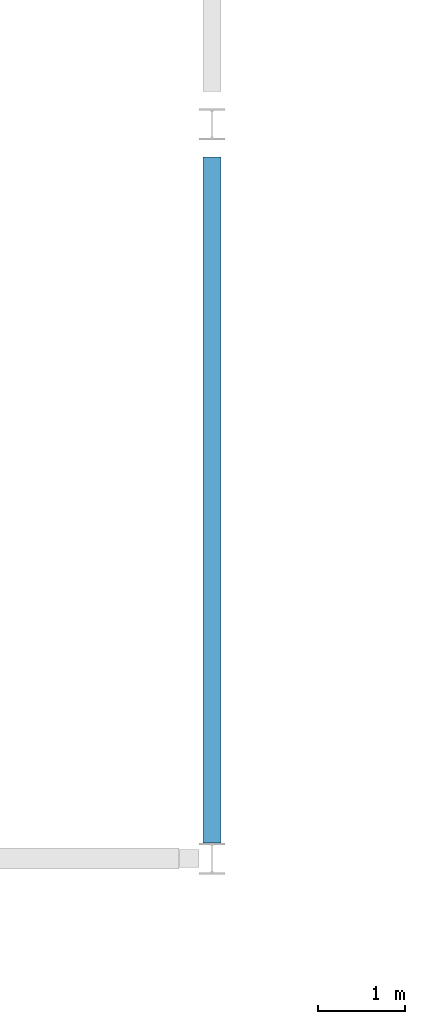
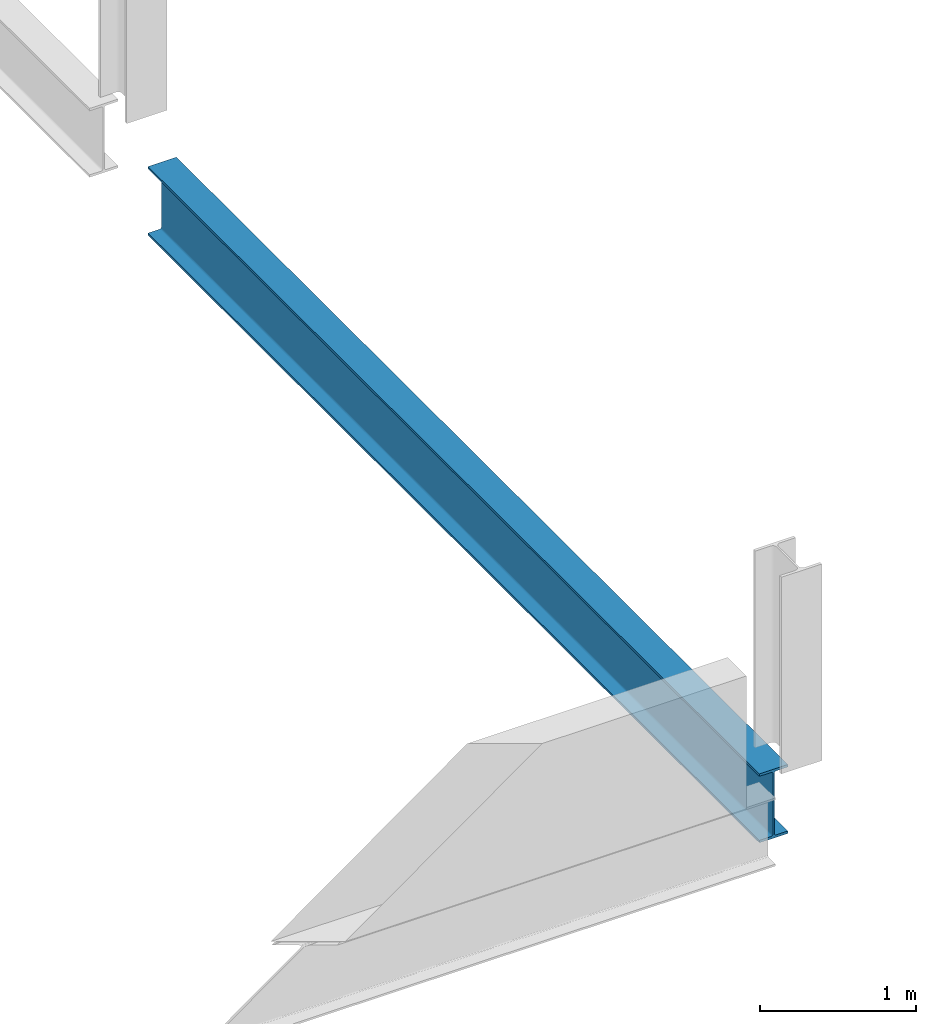
# One storey, part 9 of 43: 1 beam.
"""IFC4 building model written with IfcOpenShell, lengths in metres."""

import ifcopenshell
import ifcopenshell.guid

model = None  # the IFC model being written
_history = None  # IfcOwnerHistory: only IFC2X3 demands one
_inside = {}  # id of a spatial element -> (the spatial element, [elements in it])
_under = {}  # id of a project, library or spatial element -> (it, [spatial elements below it])
_declared = {}  # id of a project -> (the project, [libraries it declares])
_typed = {}  # id of a type object -> (the type object, [elements of that type])
_made_of = {}  # id of a material, layer set ... -> (it, [elements and type objects made of it])


def new_model(schema):
    """Start an empty IFC model of exactly this schema.

    Asked for "IFC4X3", IfcOpenShell would pick the latest addendum, in which some entities
    have other attributes; the version numbers below select the first issue.
    IFC2X3 requires an IfcOwnerHistory on every rooted entity: one is made here for all.
    """
    global model, _history
    if schema == "IFC4X3":
        model = ifcopenshell.file(schema_version=(4, 3, 0, 0))
    else:
        model = ifcopenshell.file(schema=schema)
    _inside.clear()
    _under.clear()
    _declared.clear()
    _typed.clear()
    _made_of.clear()
    _history = None
    if model.schema == "IFC2X3":
        org = make("IfcOrganization", Name="unknown")
        user = make(
            "IfcPersonAndOrganization",
            ThePerson=make("IfcPerson", FamilyName="unknown"),
            TheOrganization=org,
        )
        app = make(
            "IfcApplication",
            ApplicationDeveloper=org,
            Version="unknown",
            ApplicationFullName="unknown",
            ApplicationIdentifier="unknown",
        )
        _history = make(
            "IfcOwnerHistory",
            OwningUser=user,
            OwningApplication=app,
            ChangeAction="ADDED",
            CreationDate=0,
        )
    return model


def make(cls, **values):
    """One entity of the class cls with the attributes given. An attribute that is None is left unset."""
    return model.create_entity(
        cls, **{name: value for name, value in values.items() if value is not None}
    )


def rooted(cls, **values):
    """An entity with a GlobalId (a new one), such as an element, a storey or a relation."""
    return make(cls, GlobalId=ifcopenshell.guid.new(), OwnerHistory=_history, **values)


def si_unit(unit_type, name, prefix=None):
    """IfcSIUnit, for example si_unit("LENGTHUNIT", "METRE", prefix="MILLI")."""
    return make("IfcSIUnit", UnitType=unit_type, Prefix=prefix, Name=name)


def assignment(units):
    """IfcUnitAssignment: the units of a project."""
    return None if units is None else make("IfcUnitAssignment", Units=units)


def point(xyz):
    """IfcCartesianPoint."""
    return None if xyz is None else make("IfcCartesianPoint", Coordinates=xyz)


def direction(xyz):
    """IfcDirection."""
    return None if xyz is None else make("IfcDirection", DirectionRatios=xyz)


def frame(location, z_axis=None, x_axis=None):
    """IfcAxis2Placement3D, a coordinate frame: its origin and axes. An axis left out is left unset."""
    return make(
        "IfcAxis2Placement3D",
        Location=point(location),
        Axis=direction(z_axis),
        RefDirection=direction(x_axis),
    )


def frame_2d(location, x_axis=None):
    """IfcAxis2Placement2D, a coordinate frame in the plane: its origin and x axis."""
    return make(
        "IfcAxis2Placement2D", Location=point(location), RefDirection=direction(x_axis)
    )


def origin():
    """The frame at (0, 0, 0) with its axes left unset."""
    return frame((0.0, 0.0, 0.0))


def origin_2d():
    """The frame at (0, 0) in the plane with its x axis left unset."""
    return frame_2d((0.0, 0.0))


def place(relative_to, where):
    """IfcLocalPlacement: puts the frame where relative to a parent placement (None: the world)."""
    return make(
        "IfcLocalPlacement", PlacementRelTo=relative_to, RelativePlacement=where
    )


def context(
    kind, dimensions, precision=None, world=None, true_north=None, identifier=None
):
    """IfcGeometricRepresentationContext, for example the 3D "Model" context."""
    return make(
        "IfcGeometricRepresentationContext",
        ContextIdentifier=identifier,
        ContextType=kind,
        CoordinateSpaceDimension=dimensions,
        Precision=precision,
        WorldCoordinateSystem=world,
        TrueNorth=true_north,
    )


def subcontext(parent, identifier, kind, view, scale=None):
    """IfcGeometricRepresentationSubContext, for example "Body" below "Model"."""
    return make(
        "IfcGeometricRepresentationSubContext",
        ContextIdentifier=identifier,
        ContextType=kind,
        ParentContext=parent,
        TargetScale=scale,
        TargetView=view,
    )


def project(units=None, contexts=None):
    """IfcProject with its units and contexts."""
    return rooted(
        "IfcProject",
        Name="project",
        RepresentationContexts=contexts,
        UnitsInContext=assignment(units),
    )


def spatial(cls, under=None, at=None, **own):
    """A site, building, storey or space (cls), placed at a placement, below another one or the project."""
    s = rooted(cls, ObjectPlacement=at, **own)
    if under is not None:
        _under.setdefault(under.id(), (under, []))[1].append(s)
    return s


def profile(cls, at=None, kind="AREA", **sizes):
    """A parametric profile (cls). Its sizes go by their IFC names, for example OverallWidth=200.0."""
    return make(cls, ProfileType=kind, Position=at, **sizes)


def i_section(**sizes):
    """IfcIShapeProfileDef."""
    return profile("IfcIShapeProfileDef", **sizes)


def extrude(swept, where, along, depth):
    """IfcExtrudedAreaSolid: the profile swept, set in the frame where, extruded along a direction by depth."""
    return make(
        "IfcExtrudedAreaSolid",
        SweptArea=swept,
        Position=where,
        ExtrudedDirection=direction(along),
        Depth=depth,
    )


def shape(context_of_items, identifier, shape_type, items):
    """IfcShapeRepresentation: the items that make up one representation, for example the "Body"."""
    return make(
        "IfcShapeRepresentation",
        ContextOfItems=context_of_items,
        RepresentationIdentifier=identifier,
        RepresentationType=shape_type,
        Items=items,
    )


def material(Name=None, Category=None):
    """IfcMaterial."""
    return make("IfcMaterial", Name=Name, Category=Category)


def material_profile(
    of_material, cross_section, Name=None, Category=None, Priority=None
):
    """IfcMaterialProfile: a cross section and its material."""
    return make(
        "IfcMaterialProfile",
        Name=Name,
        Material=of_material,
        Profile=cross_section,
        Priority=Priority,
        Category=Category,
    )


def profile_set(profiles, Name=None, composite=None):
    """IfcMaterialProfileSet."""
    return make(
        "IfcMaterialProfileSet",
        Name=Name,
        MaterialProfiles=profiles,
        CompositeProfile=composite,
    )


def made_of(thing, what):
    """Note that an element or type object is made of a material, layer set ...; save() writes the relation."""
    if what is not None:
        _made_of.setdefault(what.id(), (what, []))[1].append(thing)
    return thing


def type_object(cls, material=None, **own):
    """A type object (cls), such as IfcWallType, which elements share."""
    return made_of(rooted(cls, **own), material)


def element(
    cls,
    number,
    at=None,
    inside=None,
    cuts=None,
    type_object=None,
    material=None,
    context=None,
    identifier="Body",
    shape_type=None,
    held_by="IfcProductDefinitionShape",
    body=None,
    shapes=None,
    **own,
):
    """One element of the class cls, such as IfcWall. Its Tag is "e" and its number.

    at: its placement. inside: the storey or other place that contains it. cuts: it is an
    opening in that element (IfcRelVoidsElement). A single representation is given by context,
    identifier, shape_type and body (its items); several are given by shapes. held_by: the class
    of the entity that holds the representations. save() writes the other relations.
    """
    e = rooted(cls, Tag="e%d" % number, ObjectPlacement=at, **own)
    if body is not None:
        shapes = [shape(context, identifier, shape_type, body)]
    if shapes is not None:
        e.Representation = make(held_by, Representations=shapes)
    if inside is not None:
        _inside.setdefault(inside.id(), (inside, []))[1].append(e)
    if cuts is not None:
        rooted(
            "IfcRelVoidsElement", RelatingBuildingElement=cuts, RelatedOpeningElement=e
        )
    if type_object is not None:
        _typed.setdefault(type_object.id(), (type_object, []))[1].append(e)
    return made_of(e, material)


def aggregate(whole, parts):
    """IfcRelAggregates: a whole, such as a stair, and the parts it consists of."""
    return rooted("IfcRelAggregates", RelatingObject=whole, RelatedObjects=parts)


def save(model, path):
    """Write the relations noted so far, then the file.

    IfcRelAggregates (storeys below a building ...), IfcRelContainedInSpatialStructure (elements
    in a storey), IfcRelDefinesByType, IfcRelAssociatesMaterial and IfcRelDeclares: one each for
    every whole, place, type object, material and project.
    """
    for whole, parts in _under.values():
        aggregate(whole, parts)
    for where, things in _inside.values():
        rooted(
            "IfcRelContainedInSpatialStructure",
            RelatedElements=things,
            RelatingStructure=where,
        )
    for kind, things in _typed.values():
        rooted("IfcRelDefinesByType", RelatedObjects=things, RelatingType=kind)
    for what, things in _made_of.values():
        rooted("IfcRelAssociatesMaterial", RelatedObjects=things, RelatingMaterial=what)
    for by, libraries in _declared.values():
        rooted("IfcRelDeclares", RelatingContext=by, RelatedDefinitions=libraries)
    model.write(path)


model = new_model("IFC4")

# Units and contexts
model_context = context("Model", 3, precision=1e-05, world=origin(), true_north=direction((0.0, 1.0)))
body_context = subcontext(model_context, "Body", "Model", "MODEL_VIEW")
ifc_project = project(units=[si_unit("LENGTHUNIT", "METRE"), si_unit("AREAUNIT", "SQUARE_METRE"), si_unit("VOLUMEUNIT", "CUBIC_METRE"), si_unit("PLANEANGLEUNIT", "RADIAN"), si_unit("MASSUNIT", "GRAM", prefix="KILO"), si_unit("THERMODYNAMICTEMPERATUREUNIT", "KELVIN")], contexts=[model_context])

# Site, building, storey
site_placement = place(None, origin())
site = spatial("IfcSite", under=ifc_project, at=site_placement, CompositionType="ELEMENT")
building_placement = place(site_placement, origin())
building = spatial("IfcBuilding", under=site, at=building_placement, Name="Nduvali Passage Aquatics Centre", CompositionType="ELEMENT")
storey_placement = place(building_placement, frame((0.0, 0.0, 17.39990234375)))
storey = spatial("IfcBuildingStorey", under=building, at=storey_placement, Name="L04", CompositionType="ELEMENT", Elevation=17.39990234375)

# Beam
ifc_material = material(Name="Steel S355", Category="steel")
ifc_material_profile = material_profile(ifc_material, i_section(OverallWidth=0.210693359375, OverallDepth=0.53955078125, WebThickness=0.01171875, FlangeThickness=0.018798828125, FilletRadius=0.0126953125, at=origin_2d()), Name="UKB 533x210x109")
ifc_profile_set = profile_set([ifc_material_profile], Name="Steel S355")
beam_type = type_object("IfcBeamType", Name="STR-BM-UKB533-EXT", PredefinedType="BEAM", material=ifc_profile_set)
beam_placement = place(storey_placement, frame((25.199951171875, 33.780029296875, -0.503662109375), z_axis=(0.0, 1.0, 0.0), x_axis=(-1.0, 0.0, 0.0)))
element("IfcBeam", 1, at=beam_placement, inside=storey, type_object=beam_type, Name="L04 Primary Y-Girder B6E-1364", PredefinedType="BEAM", context=body_context, shape_type="SweptSolid", body=[
    extrude(i_section(OverallWidth=0.210693359375, OverallDepth=0.53955078125, WebThickness=0.01171875, FlangeThickness=0.018798828125, FilletRadius=0.0126953125, at=origin_2d()), origin(), (0.0, 0.0, 1.0), 7.844970703125),
])

save(model, "model.ifc")
